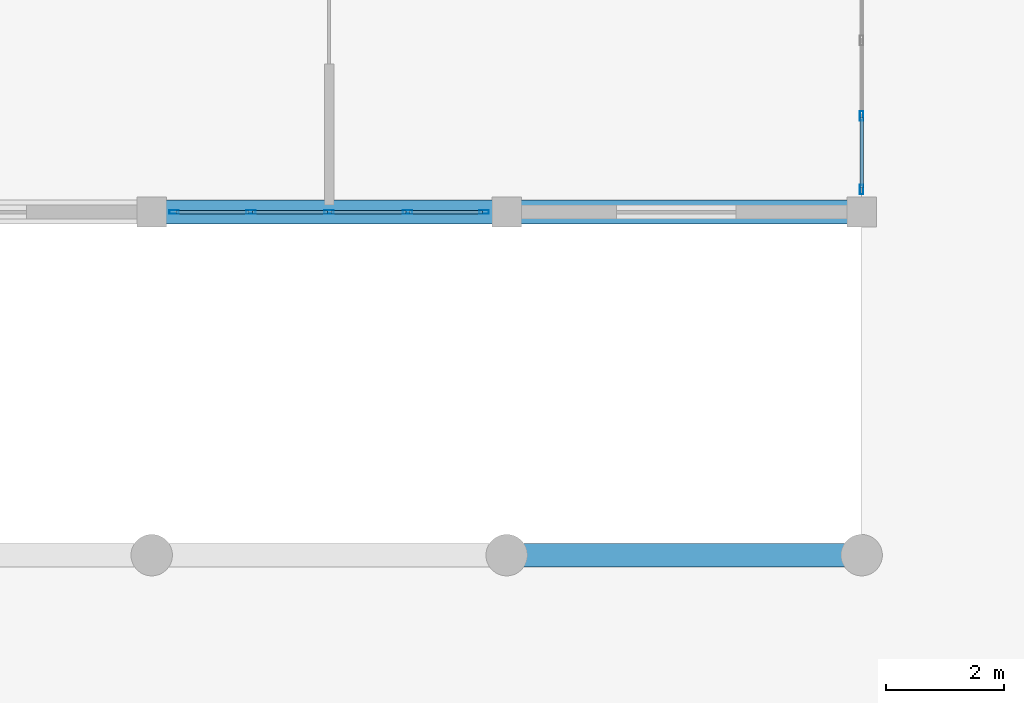
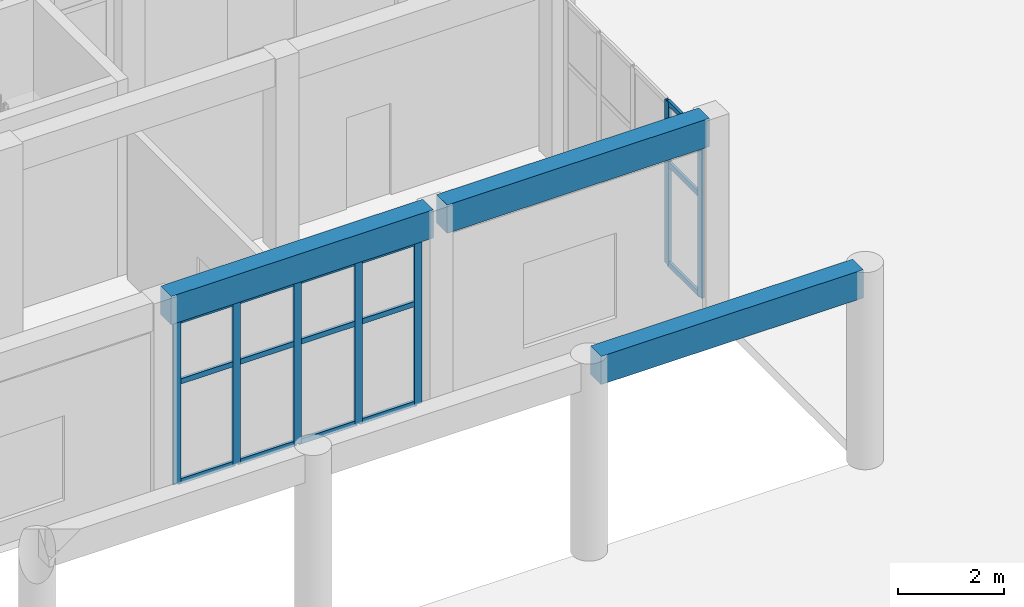
# One storey, part 16 of 132: 22 members, 3 beams, 2 elements without a shape of their own.
"""IFC4 building model written with IfcOpenShell, lengths in metres."""

import ifcopenshell
import ifcopenshell.guid

model = None  # the IFC model being written
_history = None  # IfcOwnerHistory: only IFC2X3 demands one
_inside = {}  # id of a spatial element -> (the spatial element, [elements in it])
_under = {}  # id of a project, library or spatial element -> (it, [spatial elements below it])
_declared = {}  # id of a project -> (the project, [libraries it declares])
_typed = {}  # id of a type object -> (the type object, [elements of that type])
_made_of = {}  # id of a material, layer set ... -> (it, [elements and type objects made of it])


def new_model(schema):
    """Start an empty IFC model of exactly this schema.

    Asked for "IFC4X3", IfcOpenShell would pick the latest addendum, in which some entities
    have other attributes; the version numbers below select the first issue.
    IFC2X3 requires an IfcOwnerHistory on every rooted entity: one is made here for all.
    """
    global model, _history
    if schema == "IFC4X3":
        model = ifcopenshell.file(schema_version=(4, 3, 0, 0))
    else:
        model = ifcopenshell.file(schema=schema)
    _inside.clear()
    _under.clear()
    _declared.clear()
    _typed.clear()
    _made_of.clear()
    _history = None
    if model.schema == "IFC2X3":
        org = make("IfcOrganization", Name="unknown")
        user = make(
            "IfcPersonAndOrganization",
            ThePerson=make("IfcPerson", FamilyName="unknown"),
            TheOrganization=org,
        )
        app = make(
            "IfcApplication",
            ApplicationDeveloper=org,
            Version="unknown",
            ApplicationFullName="unknown",
            ApplicationIdentifier="unknown",
        )
        _history = make(
            "IfcOwnerHistory",
            OwningUser=user,
            OwningApplication=app,
            ChangeAction="ADDED",
            CreationDate=0,
        )
    return model


def make(cls, **values):
    """One entity of the class cls with the attributes given. An attribute that is None is left unset."""
    return model.create_entity(
        cls, **{name: value for name, value in values.items() if value is not None}
    )


def rooted(cls, **values):
    """An entity with a GlobalId (a new one), such as an element, a storey or a relation."""
    return make(cls, GlobalId=ifcopenshell.guid.new(), OwnerHistory=_history, **values)


def si_unit(unit_type, name, prefix=None):
    """IfcSIUnit, for example si_unit("LENGTHUNIT", "METRE", prefix="MILLI")."""
    return make("IfcSIUnit", UnitType=unit_type, Prefix=prefix, Name=name)


def assignment(units):
    """IfcUnitAssignment: the units of a project."""
    return None if units is None else make("IfcUnitAssignment", Units=units)


def point(xyz):
    """IfcCartesianPoint."""
    return None if xyz is None else make("IfcCartesianPoint", Coordinates=xyz)


def direction(xyz):
    """IfcDirection."""
    return None if xyz is None else make("IfcDirection", DirectionRatios=xyz)


def frame(location, z_axis=None, x_axis=None):
    """IfcAxis2Placement3D, a coordinate frame: its origin and axes. An axis left out is left unset."""
    return make(
        "IfcAxis2Placement3D",
        Location=point(location),
        Axis=direction(z_axis),
        RefDirection=direction(x_axis),
    )


def frame_2d(location, x_axis=None):
    """IfcAxis2Placement2D, a coordinate frame in the plane: its origin and x axis."""
    return make(
        "IfcAxis2Placement2D", Location=point(location), RefDirection=direction(x_axis)
    )


def origin():
    """The frame at (0, 0, 0) with its axes left unset."""
    return frame((0.0, 0.0, 0.0))


def origin_2d():
    """The frame at (0, 0) in the plane with its x axis left unset."""
    return frame_2d((0.0, 0.0))


def place(relative_to, where):
    """IfcLocalPlacement: puts the frame where relative to a parent placement (None: the world)."""
    return make(
        "IfcLocalPlacement", PlacementRelTo=relative_to, RelativePlacement=where
    )


def context(
    kind, dimensions, precision=None, world=None, true_north=None, identifier=None
):
    """IfcGeometricRepresentationContext, for example the 3D "Model" context."""
    return make(
        "IfcGeometricRepresentationContext",
        ContextIdentifier=identifier,
        ContextType=kind,
        CoordinateSpaceDimension=dimensions,
        Precision=precision,
        WorldCoordinateSystem=world,
        TrueNorth=true_north,
    )


def subcontext(parent, identifier, kind, view, scale=None):
    """IfcGeometricRepresentationSubContext, for example "Body" below "Model"."""
    return make(
        "IfcGeometricRepresentationSubContext",
        ContextIdentifier=identifier,
        ContextType=kind,
        ParentContext=parent,
        TargetScale=scale,
        TargetView=view,
    )


def project(units=None, contexts=None):
    """IfcProject with its units and contexts."""
    return rooted(
        "IfcProject",
        Name="project",
        RepresentationContexts=contexts,
        UnitsInContext=assignment(units),
    )


def spatial(cls, under=None, at=None, **own):
    """A site, building, storey or space (cls), placed at a placement, below another one or the project."""
    s = rooted(cls, ObjectPlacement=at, **own)
    if under is not None:
        _under.setdefault(under.id(), (under, []))[1].append(s)
    return s


def profile(cls, at=None, kind="AREA", **sizes):
    """A parametric profile (cls). Its sizes go by their IFC names, for example OverallWidth=200.0."""
    return make(cls, ProfileType=kind, Position=at, **sizes)


def rectangle(**sizes):
    """IfcRectangleProfileDef."""
    return profile("IfcRectangleProfileDef", **sizes)


def hollow_rectangle(**sizes):
    """IfcRectangleHollowProfileDef."""
    return profile("IfcRectangleHollowProfileDef", **sizes)


def extrude(swept, where, along, depth):
    """IfcExtrudedAreaSolid: the profile swept, set in the frame where, extruded along a direction by depth."""
    return make(
        "IfcExtrudedAreaSolid",
        SweptArea=swept,
        Position=where,
        ExtrudedDirection=direction(along),
        Depth=depth,
    )


def shape(context_of_items, identifier, shape_type, items):
    """IfcShapeRepresentation: the items that make up one representation, for example the "Body"."""
    return make(
        "IfcShapeRepresentation",
        ContextOfItems=context_of_items,
        RepresentationIdentifier=identifier,
        RepresentationType=shape_type,
        Items=items,
    )


def material(Name=None, Category=None):
    """IfcMaterial."""
    return make("IfcMaterial", Name=Name, Category=Category)


def material_profile(
    of_material, cross_section, Name=None, Category=None, Priority=None
):
    """IfcMaterialProfile: a cross section and its material."""
    return make(
        "IfcMaterialProfile",
        Name=Name,
        Material=of_material,
        Profile=cross_section,
        Priority=Priority,
        Category=Category,
    )


def profile_set(profiles, Name=None, composite=None):
    """IfcMaterialProfileSet."""
    return make(
        "IfcMaterialProfileSet",
        Name=Name,
        MaterialProfiles=profiles,
        CompositeProfile=composite,
    )


def made_of(thing, what):
    """Note that an element or type object is made of a material, layer set ...; save() writes the relation."""
    if what is not None:
        _made_of.setdefault(what.id(), (what, []))[1].append(thing)
    return thing


def type_object(cls, material=None, **own):
    """A type object (cls), such as IfcWallType, which elements share."""
    return made_of(rooted(cls, **own), material)


def element(
    cls,
    number,
    at=None,
    inside=None,
    cuts=None,
    type_object=None,
    material=None,
    context=None,
    identifier="Body",
    shape_type=None,
    held_by="IfcProductDefinitionShape",
    body=None,
    shapes=None,
    **own,
):
    """One element of the class cls, such as IfcWall. Its Tag is "e" and its number.

    at: its placement. inside: the storey or other place that contains it. cuts: it is an
    opening in that element (IfcRelVoidsElement). A single representation is given by context,
    identifier, shape_type and body (its items); several are given by shapes. held_by: the class
    of the entity that holds the representations. save() writes the other relations.
    """
    e = rooted(cls, Tag="e%d" % number, ObjectPlacement=at, **own)
    if body is not None:
        shapes = [shape(context, identifier, shape_type, body)]
    if shapes is not None:
        e.Representation = make(held_by, Representations=shapes)
    if inside is not None:
        _inside.setdefault(inside.id(), (inside, []))[1].append(e)
    if cuts is not None:
        rooted(
            "IfcRelVoidsElement", RelatingBuildingElement=cuts, RelatedOpeningElement=e
        )
    if type_object is not None:
        _typed.setdefault(type_object.id(), (type_object, []))[1].append(e)
    return made_of(e, material)


def aggregate(whole, parts):
    """IfcRelAggregates: a whole, such as a stair, and the parts it consists of."""
    return rooted("IfcRelAggregates", RelatingObject=whole, RelatedObjects=parts)


def save(model, path):
    """Write the relations noted so far, then the file.

    IfcRelAggregates (storeys below a building ...), IfcRelContainedInSpatialStructure (elements
    in a storey), IfcRelDefinesByType, IfcRelAssociatesMaterial and IfcRelDeclares: one each for
    every whole, place, type object, material and project.
    """
    for whole, parts in _under.values():
        aggregate(whole, parts)
    for where, things in _inside.values():
        rooted(
            "IfcRelContainedInSpatialStructure",
            RelatedElements=things,
            RelatingStructure=where,
        )
    for kind, things in _typed.values():
        rooted("IfcRelDefinesByType", RelatedObjects=things, RelatingType=kind)
    for what, things in _made_of.values():
        rooted("IfcRelAssociatesMaterial", RelatedObjects=things, RelatingMaterial=what)
    for by, libraries in _declared.values():
        rooted("IfcRelDeclares", RelatingContext=by, RelatedDefinitions=libraries)
    model.write(path)


model = new_model("IFC4")

# Units and contexts
model_context = context("Model", 3, precision=1e-05, world=origin(), true_north=direction((0.0, 1.0)))
body_context = subcontext(model_context, "Body", "Model", "MODEL_VIEW")
ifc_project = project(units=[si_unit("LENGTHUNIT", "METRE"), si_unit("AREAUNIT", "SQUARE_METRE"), si_unit("VOLUMEUNIT", "CUBIC_METRE"), si_unit("PLANEANGLEUNIT", "RADIAN"), si_unit("MASSUNIT", "GRAM", prefix="KILO")], contexts=[model_context])

# Site, building, storey
site_placement = place(None, origin())
site = spatial("IfcSite", under=ifc_project, at=site_placement, CompositionType="ELEMENT")
building_placement = place(site_placement, origin())
building = spatial("IfcBuilding", under=site, at=building_placement, Name="Tanwirah Colonnade Gardens", CompositionType="ELEMENT")
storey_placement = place(building_placement, origin())
storey = spatial("IfcBuildingStorey", under=building, at=storey_placement, Name="L00", CompositionType="ELEMENT", Elevation=0.0)

# Beams
ifc_material_1 = material(Name="Precast concrete C45/55", Category="concrete")
ifc_material_profile_1 = material_profile(ifc_material_1, rectangle(XDim=0.39990234375, YDim=0.64990234375, at=origin_2d()), Name="PC-BM 400x650")
ifc_profile_set_1 = profile_set([ifc_material_profile_1], Name="Precast concrete C45/55")
beam_type = type_object("IfcBeamType", Name="BM-PC400", PredefinedType="BEAM", material=ifc_profile_set_1)
for number, where, z_axis, x_axis, name in (
    (1, (78.14990234375, 10.800048828125, 4.205078125), (1.0, 0.0, 0.0), (0.0, 1.0, 0.0), "Boulevard Shops W L00 Beam 2.0"),
    (2, (72.14990234375, 16.60009765625, 4.1650390625), (1.0, 0.0, 0.0), (0.0, 1.0, 0.0), "Boulevard Shops W L00 Beam 1.1"),
    (3, (78.14990234375, 16.60009765625, 4.1650390625), (1.0, 0.0, 0.0), (0.0, 1.0, 0.0), "Boulevard Shops W L00 Beam 2.1"),
):
    element("IfcBeam", number, at=place(storey_placement, frame(where, z_axis=z_axis, x_axis=x_axis)), inside=storey, type_object=beam_type, Name=name, PredefinedType="BEAM", context=body_context, shape_type="SweptSolid", body=[
        extrude(rectangle(XDim=0.39990234375, YDim=0.64990234375, at=origin_2d()), origin(), (0.0, 0.0, 1.0), 5.7001953125),
    ])

# Curtain wall, members
ifc_material_2 = material(Name="Bronze-anodised aluminium and solar-control low-E glass", Category="aluminium")
curtain_wall_type = type_object("IfcCurtainWallType", Name="CW-SHP", PredefinedType="NOTDEFINED", material=ifc_material_2)
curtain_wall_1_placement = place(storey_placement, origin())
curtain_wall_1 = element("IfcCurtainWall", 4, at=curtain_wall_1_placement, inside=storey, type_object=curtain_wall_type, Name="Curtain Wall CW-SHP-W-L00-S-1", PredefinedType="NOTDEFINED")
ifc_material_3 = material(Name="Bronze-anodised aluminium", Category="aluminium")
ifc_material_profile_2 = material_profile(ifc_material_3, hollow_rectangle(XDim=0.06005859375, YDim=0.159912109375, WallThickness=0.00390625, at=origin_2d()), Name="CW-MUL 60x160x4")
ifc_profile_set_2 = profile_set([ifc_material_profile_2], Name="Bronze-anodised aluminium")
member_type_1 = type_object("IfcMemberType", Name="CWM-60x160", PredefinedType="MULLION", material=ifc_profile_set_2)
member_1_placement = place(storey_placement, frame((72.3798828125, 16.60009765625, 0.0), z_axis=(0.0, 0.0, 1.0), x_axis=(0.0, 1.0, 0.0)))
member_1 = element("IfcMember", 5, at=member_1_placement, type_object=member_type_1, Name="CW-SHP mullion 1", PredefinedType="MULLION", context=body_context, shape_type="SweptSolid", body=[
    extrude(hollow_rectangle(XDim=0.06005859375, YDim=0.159912109375, WallThickness=0.00390625, at=origin_2d()), origin(), (0.0, 0.0, 1.0), 3.75),
])
member_2_placement = place(storey_placement, frame((73.675048828125, 16.60009765625, 0.0), z_axis=(0.0, 0.0, 1.0), x_axis=(0.0, 1.0, 0.0)))
member_2 = element("IfcMember", 6, at=member_2_placement, type_object=member_type_1, Name="CW-SHP mullion 2", PredefinedType="MULLION", context=body_context, shape_type="SweptSolid", body=[
    extrude(hollow_rectangle(XDim=0.06005859375, YDim=0.159912109375, WallThickness=0.00390625, at=origin_2d()), origin(), (0.0, 0.0, 1.0), 3.75),
])
member_3_placement = place(storey_placement, frame((75.0, 16.60009765625, 0.0), z_axis=(0.0, 0.0, 1.0), x_axis=(0.0, 1.0, 0.0)))
member_3 = element("IfcMember", 7, at=member_3_placement, type_object=member_type_1, Name="CW-SHP mullion 3", PredefinedType="MULLION", context=body_context, shape_type="SweptSolid", body=[
    extrude(hollow_rectangle(XDim=0.06005859375, YDim=0.159912109375, WallThickness=0.00390625, at=origin_2d()), origin(), (0.0, 0.0, 1.0), 3.75),
])
member_4_placement = place(storey_placement, frame((76.324951171875, 16.60009765625, 0.0), z_axis=(0.0, 0.0, 1.0), x_axis=(0.0, 1.0, 0.0)))
member_4 = element("IfcMember", 8, at=member_4_placement, type_object=member_type_1, Name="CW-SHP mullion 4", PredefinedType="MULLION", context=body_context, shape_type="SweptSolid", body=[
    extrude(hollow_rectangle(XDim=0.06005859375, YDim=0.159912109375, WallThickness=0.00390625, at=origin_2d()), origin(), (0.0, 0.0, 1.0), 3.75),
])
member_5_placement = place(storey_placement, frame((77.6201171875, 16.60009765625, 0.0), z_axis=(0.0, 0.0, 1.0), x_axis=(0.0, 1.0, 0.0)))
member_5 = element("IfcMember", 9, at=member_5_placement, type_object=member_type_1, Name="CW-SHP mullion 5", PredefinedType="MULLION", context=body_context, shape_type="SweptSolid", body=[
    extrude(hollow_rectangle(XDim=0.06005859375, YDim=0.159912109375, WallThickness=0.00390625, at=origin_2d()), origin(), (0.0, 0.0, 1.0), 3.75),
])

curtain_wall_2_placement = place(storey_placement, origin())
curtain_wall_2 = element("IfcCurtainWall", 10, at=curtain_wall_2_placement, inside=storey, type_object=curtain_wall_type, Name="Curtain Wall CW-SHP-W-L00-E-1", PredefinedType="NOTDEFINED")
member_6_placement = place(storey_placement, frame((84.0, 16.97998046875, 0.0), z_axis=(0.0, 0.0, 1.0), x_axis=(-1.0, 0.0, 0.0)))
member_6 = element("IfcMember", 11, at=member_6_placement, type_object=member_type_1, Name="CW-SHP mullion 1", PredefinedType="MULLION", context=body_context, shape_type="SweptSolid", body=[
    extrude(hollow_rectangle(XDim=0.06005859375, YDim=0.159912109375, WallThickness=0.00390625, at=origin_2d()), origin(), (0.0, 0.0, 1.0), 3.75),
])
member_7_placement = place(storey_placement, frame((84.0, 18.22509765625, 0.0), z_axis=(0.0, 0.0, 1.0), x_axis=(-1.0, 0.0, 0.0)))
member_7 = element("IfcMember", 12, at=member_7_placement, type_object=member_type_1, Name="CW-SHP mullion 2", PredefinedType="MULLION", context=body_context, shape_type="SweptSolid", body=[
    extrude(hollow_rectangle(XDim=0.06005859375, YDim=0.159912109375, WallThickness=0.00390625, at=origin_2d()), origin(), (0.0, 0.0, 1.0), 3.75),
])

# Member
ifc_material_profile_3 = material_profile(ifc_material_3, hollow_rectangle(XDim=0.06005859375, YDim=0.1201171875, WallThickness=0.00390625, at=origin_2d()), Name="CW-TRN 60x120x4")
ifc_profile_set_3 = profile_set([ifc_material_profile_3], Name="Bronze-anodised aluminium")
member_type_2 = type_object("IfcMemberType", Name="CWT-60x120", PredefinedType="USERDEFINED", material=ifc_profile_set_3)
member_8_placement = place(storey_placement, frame((72.409912109375, 16.60009765625, 0.030029296875), z_axis=(1.0, 0.0, 0.0), x_axis=(0.0, 1.0, 0.0)))
member_8 = element("IfcMember", 13, at=member_8_placement, type_object=member_type_2, Name="CW-SHP transom 1.1", ObjectType="TRANSOM", PredefinedType="USERDEFINED", context=body_context, shape_type="SweptSolid", body=[
    extrude(hollow_rectangle(XDim=0.06005859375, YDim=0.1201171875, WallThickness=0.00390625, at=origin_2d()), origin(), (0.0, 0.0, 1.0), 1.235107421875),
])

member_9_placement = place(storey_placement, frame((72.409912109375, 16.60009765625, 2.324951171875), z_axis=(1.0, 0.0, 0.0), x_axis=(0.0, 1.0, 0.0)))
member_9 = element("IfcMember", 14, at=member_9_placement, type_object=member_type_2, Name="CW-SHP transom 1.2", ObjectType="TRANSOM", PredefinedType="USERDEFINED", context=body_context, shape_type="SweptSolid", body=[
    extrude(hollow_rectangle(XDim=0.06005859375, YDim=0.1201171875, WallThickness=0.00390625, at=origin_2d()), origin(), (0.0, 0.0, 1.0), 1.235107421875),
])

member_10_placement = place(storey_placement, frame((72.409912109375, 16.60009765625, 3.719970703125), z_axis=(1.0, 0.0, 0.0), x_axis=(0.0, 1.0, 0.0)))
member_10 = element("IfcMember", 15, at=member_10_placement, type_object=member_type_2, Name="CW-SHP transom 1.3", ObjectType="TRANSOM", PredefinedType="USERDEFINED", context=body_context, shape_type="SweptSolid", body=[
    extrude(hollow_rectangle(XDim=0.06005859375, YDim=0.1201171875, WallThickness=0.00390625, at=origin_2d()), origin(), (0.0, 0.0, 1.0), 1.235107421875),
])

member_11_placement = place(storey_placement, frame((73.705078125, 16.60009765625, 0.030029296875), z_axis=(1.0, 0.0, 0.0), x_axis=(0.0, 1.0, 0.0)))
member_11 = element("IfcMember", 16, at=member_11_placement, type_object=member_type_2, Name="CW-SHP transom 2.1", ObjectType="TRANSOM", PredefinedType="USERDEFINED", context=body_context, shape_type="SweptSolid", body=[
    extrude(hollow_rectangle(XDim=0.06005859375, YDim=0.1201171875, WallThickness=0.00390625, at=origin_2d()), origin(), (0.0, 0.0, 1.0), 1.264892578125),
])

member_12_placement = place(storey_placement, frame((73.705078125, 16.60009765625, 2.324951171875), z_axis=(1.0, 0.0, 0.0), x_axis=(0.0, 1.0, 0.0)))
member_12 = element("IfcMember", 17, at=member_12_placement, type_object=member_type_2, Name="CW-SHP transom 2.2", ObjectType="TRANSOM", PredefinedType="USERDEFINED", context=body_context, shape_type="SweptSolid", body=[
    extrude(hollow_rectangle(XDim=0.06005859375, YDim=0.1201171875, WallThickness=0.00390625, at=origin_2d()), origin(), (0.0, 0.0, 1.0), 1.264892578125),
])

member_13_placement = place(storey_placement, frame((73.705078125, 16.60009765625, 3.719970703125), z_axis=(1.0, 0.0, 0.0), x_axis=(0.0, 1.0, 0.0)))
member_13 = element("IfcMember", 18, at=member_13_placement, type_object=member_type_2, Name="CW-SHP transom 2.3", ObjectType="TRANSOM", PredefinedType="USERDEFINED", context=body_context, shape_type="SweptSolid", body=[
    extrude(hollow_rectangle(XDim=0.06005859375, YDim=0.1201171875, WallThickness=0.00390625, at=origin_2d()), origin(), (0.0, 0.0, 1.0), 1.264892578125),
])

member_14_placement = place(storey_placement, frame((75.030029296875, 16.60009765625, 0.030029296875), z_axis=(1.0, 0.0, 0.0), x_axis=(0.0, 1.0, 0.0)))
member_14 = element("IfcMember", 19, at=member_14_placement, type_object=member_type_2, Name="CW-SHP transom 3.1", ObjectType="TRANSOM", PredefinedType="USERDEFINED", context=body_context, shape_type="SweptSolid", body=[
    extrude(hollow_rectangle(XDim=0.06005859375, YDim=0.1201171875, WallThickness=0.00390625, at=origin_2d()), origin(), (0.0, 0.0, 1.0), 1.264892578125),
])

member_15_placement = place(storey_placement, frame((75.030029296875, 16.60009765625, 2.324951171875), z_axis=(1.0, 0.0, 0.0), x_axis=(0.0, 1.0, 0.0)))
member_15 = element("IfcMember", 20, at=member_15_placement, type_object=member_type_2, Name="CW-SHP transom 3.2", ObjectType="TRANSOM", PredefinedType="USERDEFINED", context=body_context, shape_type="SweptSolid", body=[
    extrude(hollow_rectangle(XDim=0.06005859375, YDim=0.1201171875, WallThickness=0.00390625, at=origin_2d()), origin(), (0.0, 0.0, 1.0), 1.264892578125),
])

member_16_placement = place(storey_placement, frame((75.030029296875, 16.60009765625, 3.719970703125), z_axis=(1.0, 0.0, 0.0), x_axis=(0.0, 1.0, 0.0)))
member_16 = element("IfcMember", 21, at=member_16_placement, type_object=member_type_2, Name="CW-SHP transom 3.3", ObjectType="TRANSOM", PredefinedType="USERDEFINED", context=body_context, shape_type="SweptSolid", body=[
    extrude(hollow_rectangle(XDim=0.06005859375, YDim=0.1201171875, WallThickness=0.00390625, at=origin_2d()), origin(), (0.0, 0.0, 1.0), 1.264892578125),
])

member_17_placement = place(storey_placement, frame((76.35498046875, 16.60009765625, 0.030029296875), z_axis=(1.0, 0.0, 0.0), x_axis=(0.0, 1.0, 0.0)))
member_17 = element("IfcMember", 22, at=member_17_placement, type_object=member_type_2, Name="CW-SHP transom 4.1", ObjectType="TRANSOM", PredefinedType="USERDEFINED", context=body_context, shape_type="SweptSolid", body=[
    extrude(hollow_rectangle(XDim=0.06005859375, YDim=0.1201171875, WallThickness=0.00390625, at=origin_2d()), origin(), (0.0, 0.0, 1.0), 1.235107421875),
])

member_18_placement = place(storey_placement, frame((76.35498046875, 16.60009765625, 2.324951171875), z_axis=(1.0, 0.0, 0.0), x_axis=(0.0, 1.0, 0.0)))
member_18 = element("IfcMember", 23, at=member_18_placement, type_object=member_type_2, Name="CW-SHP transom 4.2", ObjectType="TRANSOM", PredefinedType="USERDEFINED", context=body_context, shape_type="SweptSolid", body=[
    extrude(hollow_rectangle(XDim=0.06005859375, YDim=0.1201171875, WallThickness=0.00390625, at=origin_2d()), origin(), (0.0, 0.0, 1.0), 1.235107421875),
])

member_19_placement = place(storey_placement, frame((76.35498046875, 16.60009765625, 3.719970703125), z_axis=(1.0, 0.0, 0.0), x_axis=(0.0, 1.0, 0.0)))
member_19 = element("IfcMember", 24, at=member_19_placement, type_object=member_type_2, Name="CW-SHP transom 4.3", ObjectType="TRANSOM", PredefinedType="USERDEFINED", context=body_context, shape_type="SweptSolid", body=[
    extrude(hollow_rectangle(XDim=0.06005859375, YDim=0.1201171875, WallThickness=0.00390625, at=origin_2d()), origin(), (0.0, 0.0, 1.0), 1.235107421875),
])

aggregate(curtain_wall_1, [member_1, member_2, member_3, member_4, member_5, member_8, member_9, member_10, member_11, member_12, member_13, member_14, member_15, member_16, member_17, member_18, member_19])

member_20_placement = place(storey_placement, frame((84.0, 17.010009765625, 0.030029296875), z_axis=(0.0, 1.0, 0.0), x_axis=(-1.0, 0.0, 0.0)))
member_20 = element("IfcMember", 25, at=member_20_placement, type_object=member_type_2, Name="CW-SHP transom 1.1", ObjectType="TRANSOM", PredefinedType="USERDEFINED", context=body_context, shape_type="SweptSolid", body=[
    extrude(hollow_rectangle(XDim=0.06005859375, YDim=0.1201171875, WallThickness=0.00390625, at=origin_2d()), origin(), (0.0, 0.0, 1.0), 1.18505859375),
])

member_21_placement = place(storey_placement, frame((84.0, 17.010009765625, 2.324951171875), z_axis=(0.0, 1.0, 0.0), x_axis=(-1.0, 0.0, 0.0)))
member_21 = element("IfcMember", 26, at=member_21_placement, type_object=member_type_2, Name="CW-SHP transom 1.2", ObjectType="TRANSOM", PredefinedType="USERDEFINED", context=body_context, shape_type="SweptSolid", body=[
    extrude(hollow_rectangle(XDim=0.06005859375, YDim=0.1201171875, WallThickness=0.00390625, at=origin_2d()), origin(), (0.0, 0.0, 1.0), 1.18505859375),
])

member_22_placement = place(storey_placement, frame((84.0, 17.010009765625, 3.719970703125), z_axis=(0.0, 1.0, 0.0), x_axis=(-1.0, 0.0, 0.0)))
member_22 = element("IfcMember", 27, at=member_22_placement, type_object=member_type_2, Name="CW-SHP transom 1.3", ObjectType="TRANSOM", PredefinedType="USERDEFINED", context=body_context, shape_type="SweptSolid", body=[
    extrude(hollow_rectangle(XDim=0.06005859375, YDim=0.1201171875, WallThickness=0.00390625, at=origin_2d()), origin(), (0.0, 0.0, 1.0), 1.18505859375),
])

aggregate(curtain_wall_2, [member_6, member_7, member_20, member_21, member_22])

save(model, "model.ifc")
